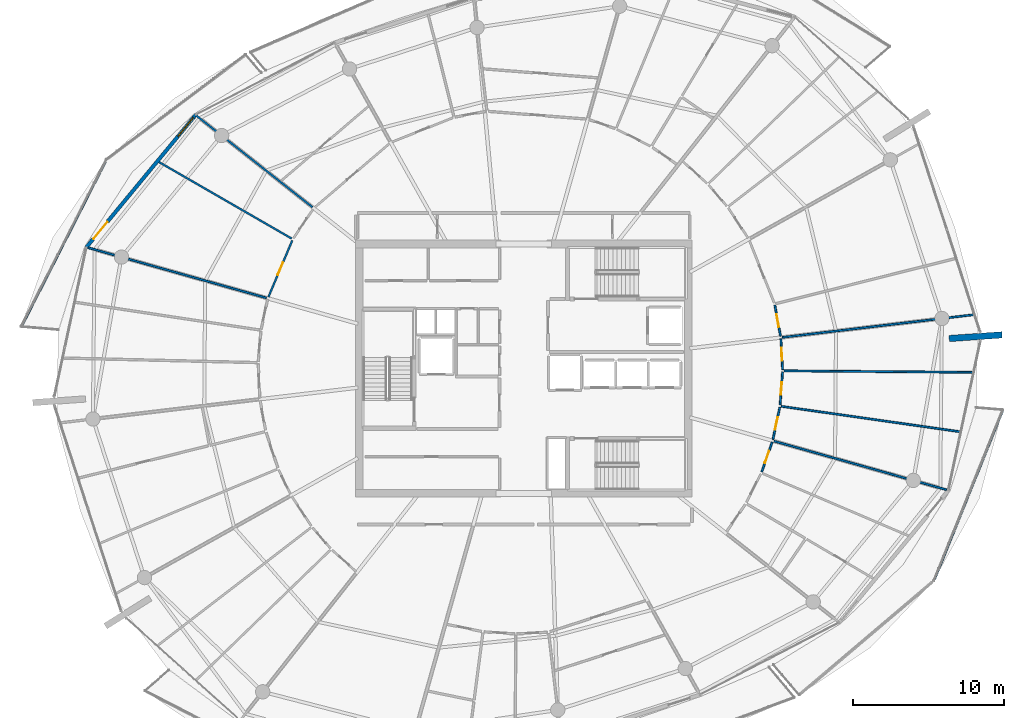
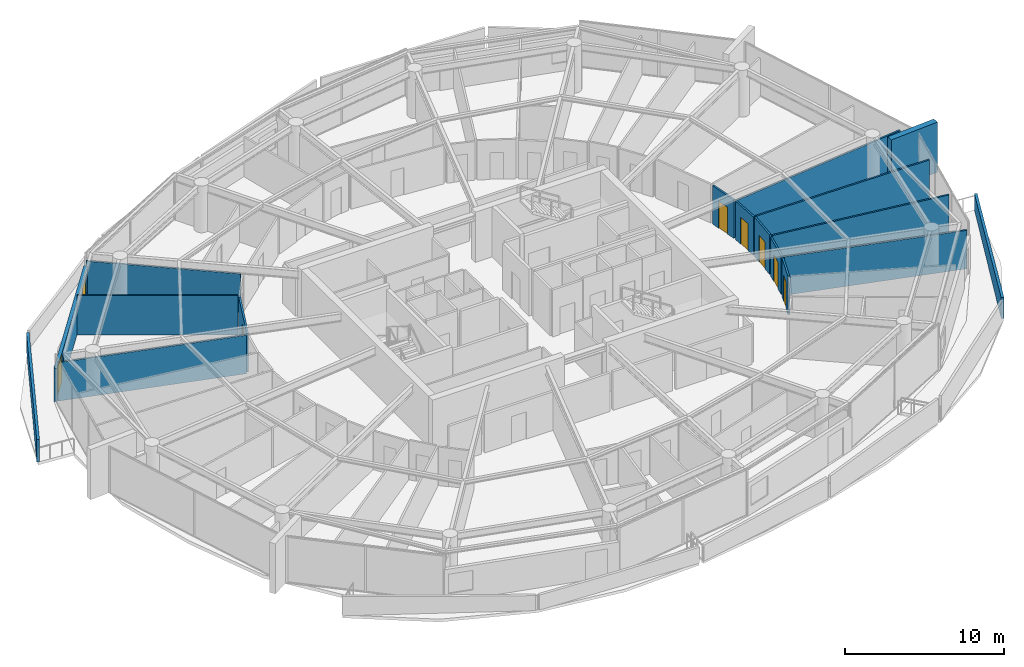
# One storey, part 20 of 29: 17 walls, 7 doors, 1 window, 8 openings.
"""IFC4 building model written with IfcOpenShell, lengths in metres."""

from ifc_helpers import new_model, si_unit, direction, frame, frame_2d, origin, place, context, subcontext, project, spatial, polyline, rectangle, outline, extrude, material, layer, layer_set, type_object, element, fill, save


model = new_model("IFC4")

# Units and contexts
model_context = context("Model", 3, precision=1e-05, world=origin(), true_north=direction((0.0, 1.0)))
body_context = subcontext(model_context, "Body", "Model", "MODEL_VIEW")
ifc_project = project(units=[si_unit("LENGTHUNIT", "METRE"), si_unit("AREAUNIT", "SQUARE_METRE"), si_unit("VOLUMEUNIT", "CUBIC_METRE"), si_unit("PLANEANGLEUNIT", "RADIAN"), si_unit("MASSUNIT", "GRAM", prefix="KILO")], contexts=[model_context])

# Site, building, storey
site_placement = place(None, origin())
site = spatial("IfcSite", under=ifc_project, at=site_placement, CompositionType="ELEMENT")
building_placement = place(site_placement, origin())
building = spatial("IfcBuilding", under=site, at=building_placement, Name="Kazma Halo Residences", CompositionType="ELEMENT")
storey_placement = place(building_placement, frame((0.0, 0.0, 286.75)))
storey = spatial("IfcBuildingStorey", under=building, at=storey_placement, Name="L72", CompositionType="ELEMENT", Elevation=286.75)

# Walls
ifc_material_1 = material(Name="White Concrete C50/60 Balustrade", Category="concrete")
ifc_layer_1 = layer(ifc_material_1, 0.179931640625)
ifc_layer_set_1 = layer_set([ifc_layer_1], Name="White Concrete C50/60 Balustrade")
wall_type_1 = type_object("IfcWallType", Name="WL-BAL-WAVE-180", PredefinedType="PARAPET", material=ifc_layer_set_1)
wall_1_placement = place(storey_placement, frame((20.758056640625, 55.745849609375, 0.0), z_axis=(0.0, 0.0, 1.0), x_axis=(-0.45375182612, -0.891128094211, 0.0)))
element("IfcWall", 1, at=wall_1_placement, inside=storey, type_object=wall_type_1, Name="L72 white wave balustrade wall NW.2", PredefinedType="PARAPET", context=body_context, shape_type="SweptSolid", body=[
    extrude(outline(polyline([(0.0, 0.0), (12.2998046875, 0.0), (12.2998046875, 1.7470703125), (6.14990234375, 1.56201171875), (0.0, 1.347900390625), (0.0, 0.0)])), frame((0.0, 0.08984375, 0.0), z_axis=(0.0, -1.0, 0.0), x_axis=(1.0, 0.0, 0.0)), (0.0, 0.0, 1.0), 0.179931640625),
])
wall_2_placement = place(storey_placement, frame((75.5869140625, 28.077880859375, 0.0), z_axis=(0.0, 0.0, 1.0), x_axis=(0.374094279698, 0.927390678138, 0.0)))
element("IfcWall", 2, at=wall_2_placement, inside=storey, type_object=wall_type_1, Name="L72 white wave balustrade wall SE.2", PredefinedType="PARAPET", context=body_context, shape_type="SweptSolid", body=[
    extrude(outline(polyline([(0.0, 0.0), (12.07470703125, 0.0), (12.07470703125, 1.23291015625), (6.037353515625, 1.41796875), (0.0, 1.632080078125), (0.0, 0.0)])), frame((0.0, 0.08984375, 0.0), z_axis=(0.0, -1.0, 0.0), x_axis=(1.0, 0.0, 0.0)), (0.0, 0.0, 1.0), 0.179931640625),
])
ifc_material_2 = material(Name="Pale Concrete C60/75", Category="concrete")
ifc_layer_2 = layer(ifc_material_2, 0.419921875)
ifc_layer_set_2 = layer_set([ifc_layer_2], Name="Pale Concrete C60/75")
wall_type_2 = type_object("IfcWallType", Name="WL-BLADE-420", PredefinedType="SOLIDWALL", material=ifc_layer_set_2)
wall_3_placement = place(storey_placement, frame((76.5625, 43.997314453125, 0.0), z_axis=(0.0, 0.0, 1.0), x_axis=(0.997563824095, 0.069759707979, 0.0)))
element("IfcWall", 3, at=wall_3_placement, inside=storey, type_object=wall_type_2, Name="L72 pale concrete structural blade fin wall BW-04", PredefinedType="SOLIDWALL", context=body_context, shape_type="SweptSolid", body=[
    extrude(rectangle(XDim=3.499755859375, YDim=0.419921875, at=frame_2d((1.75, 0.0))), origin(), (0.0, 0.0, 1.0), 3.85009765625),
])

# Wall, openings, door, window
ifc_material_3 = material(Name="Insulated Pale-Metal Composite Wall")
ifc_layer_3 = layer(ifc_material_3, 0.239990234375)
ifc_layer_set_3 = layer_set([ifc_layer_3], Name="Insulated Pale-Metal Composite Wall")
wall_type_3 = type_object("IfcWallType", Name="WL-EXT-HOST-240", PredefinedType="SOLIDWALL", material=ifc_layer_set_3)
wall_4_placement = place(storey_placement, frame((26.7421875, 58.822021484375, 0.0), z_axis=(0.0, 0.0, 1.0), x_axis=(-0.636680093065, -0.771128043255, 0.0)))
wall_4 = element("IfcWall", 4, at=wall_4_placement, inside=storey, type_object=wall_type_3, Name="L72 exterior terrace-access wall B06", PredefinedType="SOLIDWALL", context=body_context, shape_type="SweptSolid", body=[
    extrude(rectangle(XDim=11.438232421875, YDim=0.239990234375, at=frame_2d((5.71923828125, 0.0))), origin(), (0.0, 0.0, 1.0), 2.5400390625),
])
opening_1_placement = place(wall_4_placement, frame((9.21826171875, 0.0, 0.0)))
opening_1 = element("IfcOpeningElement", 5, at=opening_1_placement, cuts=wall_4, Name="Opening DTR-1600", PredefinedType="OPENING", context=body_context, shape_type="SweptSolid", body=[
    extrude(rectangle(XDim=1.449951171875, YDim=2.14990234375, at=frame_2d((0.72509765625, 1.074951171875))), frame((0.0, 0.1298828125, 0.0), z_axis=(0.0, -1.0, 0.0), x_axis=(1.0, 0.0, 0.0)), (0.0, 0.0, 1.0), 0.260009765625),
])
opening_2_placement = place(wall_4_placement, frame((0.280029296875, 0.0, 0.64990234375)))
opening_2 = element("IfcOpeningElement", 6, at=opening_2_placement, cuts=wall_4, Name="Opening W-1800", PredefinedType="OPENING", context=body_context, shape_type="SweptSolid", body=[
    extrude(rectangle(XDim=1.60009765625, YDim=1.5, at=frame_2d((0.800048828125, 0.75))), frame((0.0, 0.1298828125, 0.0), z_axis=(0.0, -1.0, 0.0), x_axis=(1.0, 0.0, 0.0)), (0.0, 0.0, 1.0), 0.260009765625),
])
ifc_material_4 = material(Name="Aluminium AW-6063 T6 Double-Glazed Terrace Door", Category="aluminium")
door_type_1 = type_object("IfcDoorType", Name="DR-EXT-TERR-1600", OperationType="NOTDEFINED", PredefinedType="DOOR", material=ifc_material_4)
door_1_placement = place(opening_1_placement, origin())
door_1 = element("IfcDoor", 7, at=door_1_placement, inside=storey, type_object=door_type_1, Name="L72 B06 balcony terrace door", OperationType="DOUBLE_DOOR_SLIDING", OverallHeight=2.14990234375, OverallWidth=1.449951171875, PredefinedType="DOOR", context=body_context, shape_type="SweptSolid", body=[
    extrude(rectangle(XDim=1.449951171875, YDim=2.14990234375, at=frame_2d((0.72509765625, 1.074951171875))), frame((0.0, 0.02490234375, 0.0), z_axis=(0.0, -1.0, 0.0), x_axis=(1.0, 0.0, 0.0)), (0.0, 0.0, 1.0), 0.050048828125),
])
fill(opening_1, door_1)
ifc_material_5 = material(Name="Clear Triple-Silver Low-E Glass in Aluminium AW-6063 T6 Frame", Category="aluminium")
window_type = type_object("IfcWindowType", Name="WIN-RES-1800", PartitioningType="DOUBLE_PANEL_VERTICAL", PredefinedType="WINDOW", material=ifc_material_5)
window_placement = place(opening_2_placement, origin())
window = element("IfcWindow", 8, at=window_placement, inside=storey, type_object=window_type, Name="L72 B06 apartment window", OverallHeight=1.5, OverallWidth=1.60009765625, PartitioningType="SINGLE_PANEL", PredefinedType="WINDOW", context=body_context, shape_type="SweptSolid", body=[
    extrude(rectangle(XDim=1.60009765625, YDim=1.5, at=frame_2d((0.800048828125, 0.75))), frame((0.0, 0.030029296875, 0.0), z_axis=(0.0, -1.0, 0.0), x_axis=(1.0, 0.0, 0.0)), (0.0, 0.0, 1.0), 0.06005859375),
])
fill(opening_2, window)

# Walls
ifc_material_6 = material(Name="Gypsum Plasterboard Partition")
ifc_layer_4 = layer(ifc_material_6, 0.125)
ifc_layer_set_4 = layer_set([ifc_layer_4], Name="Gypsum Plasterboard Partition")
wall_type_4 = type_object("IfcWallType", Name="WL-PART-125", PredefinedType="PARTITIONING", material=ifc_layer_set_4)
wall_5_placement = place(storey_placement, frame((34.45166015625, 52.6806640625, 0.0), z_axis=(0.0, 0.0, 1.0), x_axis=(-0.785323024206, 0.619086219885, 0.0)))
element("IfcWall", 9, at=wall_5_placement, inside=storey, type_object=wall_type_4, Name="L72 Apartment 1 radial partition 5", PredefinedType="PARTITIONING", context=body_context, shape_type="SweptSolid", body=[
    extrude(rectangle(XDim=9.83251953125, YDim=0.125, at=frame_2d((4.916259765625, 0.0))), origin(), (0.0, 0.0, 1.0), 2.95703125),
])
wall_6_placement = place(storey_placement, frame((33.0634765625, 50.61328125, 0.0), z_axis=(0.0, 0.0, 1.0), x_axis=(-0.866292819656, 0.499536535814, 0.0)))
element("IfcWall", 10, at=wall_6_placement, inside=storey, type_object=wall_type_4, Name="L72 Apartment 1 mid-bay wall 5", PredefinedType="PARTITIONING", context=body_context, shape_type="SweptSolid", body=[
    extrude(rectangle(XDim=10.1181640625, YDim=0.125, at=frame_2d((5.05908203125, 0.0))), origin(), (0.0, 0.0, 1.0), 3.030029296875),
])

# Wall, opening, door
wall_7_placement = place(storey_placement, frame((33.1103515625, 50.494384765625, 0.0), z_axis=(0.0, 0.0, 1.0), x_axis=(-0.388491824698, -0.921452170296, 0.0)))
wall_7 = element("IfcWall", 11, at=wall_7_placement, inside=storey, type_object=wall_type_4, Name="L72 Apartment 1 Outer Formal Dining Room hall wall", PredefinedType="PARTITIONING", context=body_context, shape_type="SweptSolid", body=[
    extrude(rectangle(XDim=4.06591796875, YDim=0.125, at=frame_2d((2.032958984375, 0.0))), origin(), (0.0, 0.0, 1.0), 2.95703125),
])
opening_3_placement = place(wall_7_placement, frame((1.5830078125, 0.0, 0.0)))
opening_3 = element("IfcOpeningElement", 12, at=opening_3_placement, cuts=wall_7, Name="Opening DI-950", PredefinedType="OPENING", context=body_context, shape_type="SweptSolid", body=[
    extrude(rectangle(XDim=0.89990234375, YDim=2.080078125, at=frame_2d((0.449951171875, 1.0400390625))), frame((0.0, 0.072509765625, 0.0), z_axis=(0.0, -1.0, 0.0), x_axis=(1.0, 0.0, 0.0)), (0.0, 0.0, 1.0), 0.14501953125),
])
ifc_material_7 = material(Name="Timber Veneer Flush Leaf", Category="wood")
door_type_2 = type_object("IfcDoorType", Name="DR-INT-950", OperationType="NOTDEFINED", PredefinedType="DOOR", material=ifc_material_7)
door_2_placement = place(opening_3_placement, origin())
door_2 = element("IfcDoor", 13, at=door_2_placement, inside=storey, type_object=door_type_2, Name="L72 Apartment 1 Outer Formal Dining Room door", OperationType="SINGLE_SWING_LEFT", OverallHeight=2.080078125, OverallWidth=0.89990234375, PredefinedType="DOOR", context=body_context, shape_type="SweptSolid", body=[
    extrude(rectangle(XDim=0.89990234375, YDim=2.080078125, at=frame_2d((0.449951171875, 1.0400390625))), frame((0.0, 0.02490234375, 0.0), z_axis=(0.0, -1.0, 0.0), x_axis=(1.0, 0.0, 0.0)), (0.0, 0.0, 1.0), 0.050048828125),
])
fill(opening_3, door_2)

# Wall
wall_8_placement = place(storey_placement, frame((31.395751953125, 46.682861328125, 0.0), z_axis=(0.0, 0.0, 1.0), x_axis=(-0.962453683352, 0.271445956688, 0.0)))
element("IfcWall", 14, at=wall_8_placement, inside=storey, type_object=wall_type_4, Name="L72 Apartment 1 radial partition 6", PredefinedType="PARTITIONING", context=body_context, shape_type="SweptSolid", body=[
    extrude(rectangle(XDim=12.24365234375, YDim=0.125, at=frame_2d((6.121826171875, 0.0))), origin(), (0.0, 0.0, 1.0), 2.95703125),
])

# Wall, opening, door
wall_9_placement = place(storey_placement, frame((64.162109375, 35.18310546875, 0.0), z_axis=(0.0, 0.0, 1.0), x_axis=(0.332881557629, 0.942968646664, 0.0)))
wall_9 = element("IfcWall", 15, at=wall_9_placement, inside=storey, type_object=wall_type_4, Name="L72 Apartment 2 Outer Master Bedroom hall wall", PredefinedType="PARTITIONING", context=body_context, shape_type="SweptSolid", body=[
    extrude(rectangle(XDim=2.07861328125, YDim=0.125, at=frame_2d((1.039306640625, 0.0))), origin(), (0.0, 0.0, 1.0), 2.95703125),
])
opening_4_placement = place(wall_9_placement, frame((0.6142578125, 0.0, 0.0)))
opening_4 = element("IfcOpeningElement", 16, at=opening_4_placement, cuts=wall_9, Name="Opening DB-900", PredefinedType="OPENING", context=body_context, shape_type="SweptSolid", body=[
    extrude(rectangle(XDim=0.85009765625, YDim=2.06005859375, at=frame_2d((0.425048828125, 1.030029296875))), frame((0.0, 0.072509765625, 0.0), z_axis=(0.0, -1.0, 0.0), x_axis=(1.0, 0.0, 0.0)), (0.0, 0.0, 1.0), 0.14501953125),
])
ifc_material_8 = material(Name="Moisture-Sealed Timber Leaf", Category="wood")
door_type_3 = type_object("IfcDoorType", Name="DR-BTH-900", OperationType="NOTDEFINED", PredefinedType="DOOR", material=ifc_material_8)
door_3_placement = place(opening_4_placement, origin())
door_3 = element("IfcDoor", 17, at=door_3_placement, inside=storey, type_object=door_type_3, Name="L72 Apartment 2 Outer Master Bedroom door", OperationType="SINGLE_SWING_LEFT", OverallHeight=2.06005859375, OverallWidth=0.85009765625, PredefinedType="DOOR", context=body_context, shape_type="SweptSolid", body=[
    extrude(rectangle(XDim=0.85009765625, YDim=2.06005859375, at=frame_2d((0.425048828125, 1.030029296875))), frame((0.0, 0.02490234375, 0.0), z_axis=(0.0, -1.0, 0.0), x_axis=(1.0, 0.0, 0.0)), (0.0, 0.0, 1.0), 0.050048828125),
])
fill(opening_4, door_3)

# Walls
wall_10_placement = place(storey_placement, frame((64.9833984375, 37.210205078125, 0.0), z_axis=(0.0, 0.0, 1.0), x_axis=(0.962453678557, -0.271445973691, 0.0)))
element("IfcWall", 18, at=wall_10_placement, inside=storey, type_object=wall_type_4, Name="L72 Apartment 2 radial partition 14", PredefinedType="PARTITIONING", context=body_context, shape_type="SweptSolid", body=[
    extrude(rectangle(XDim=11.849609375, YDim=0.125, at=frame_2d((5.9248046875, 0.0))), origin(), (0.0, 0.0, 1.0), 2.95703125),
])
wall_11_placement = place(storey_placement, frame((65.460205078125, 39.514892578125, 0.0), z_axis=(0.0, 0.0, 1.0), x_axis=(0.990024400928, -0.140896009764, 0.0)))
element("IfcWall", 19, at=wall_11_placement, inside=storey, type_object=wall_type_4, Name="L72 Apartment 2 bay wall 1 14", PredefinedType="PARTITIONING", context=body_context, shape_type="SweptSolid", body=[
    extrude(rectangle(XDim=11.9716796875, YDim=0.125, at=frame_2d((5.98583984375, 0.0))), origin(), (0.0, 0.0, 1.0), 3.030029296875),
])
wall_12_placement = place(storey_placement, frame((65.635498046875, 41.861572265625, 0.0), z_axis=(0.0, 0.0, 1.0), x_axis=(0.999969129377, -0.007857499155, 0.0)))
element("IfcWall", 20, at=wall_12_placement, inside=storey, type_object=wall_type_4, Name="L72 Apartment 2 bay wall 2 14", PredefinedType="PARTITIONING", context=body_context, shape_type="SweptSolid", body=[
    extrude(rectangle(XDim=12.521728515625, YDim=0.125, at=frame_2d((6.2607421875, 0.0))), origin(), (0.0, 0.0, 1.0), 3.030029296875),
])

# Wall, opening, door
wall_13_placement = place(storey_placement, frame((64.90380859375, 37.315673828125, 0.0), z_axis=(0.0, 0.0, 1.0), x_axis=(0.206653610436, 0.978414168588, 0.0)))
wall_13 = element("IfcWall", 21, at=wall_13_placement, inside=storey, type_object=wall_type_4, Name="L72 Apartment 2 Sky Master Bedroom hall wall", PredefinedType="PARTITIONING", context=body_context, shape_type="SweptSolid", body=[
    extrude(rectangle(XDim=2.180908203125, YDim=0.125, at=frame_2d((1.09033203125, 0.0))), origin(), (0.0, 0.0, 1.0), 2.95703125),
])
opening_5_placement = place(wall_13_placement, frame((0.665283203125, 0.0, 0.0)))
opening_5 = element("IfcOpeningElement", 22, at=opening_5_placement, cuts=wall_13, Name="Opening DB-900", PredefinedType="OPENING", context=body_context, shape_type="SweptSolid", body=[
    extrude(rectangle(XDim=0.85009765625, YDim=2.06005859375, at=frame_2d((0.425048828125, 1.030029296875))), frame((0.0, 0.072509765625, 0.0), z_axis=(0.0, -1.0, 0.0), x_axis=(1.0, 0.0, 0.0)), (0.0, 0.0, 1.0), 0.14501953125),
])
door_4_placement = place(opening_5_placement, origin())
door_4 = element("IfcDoor", 23, at=door_4_placement, inside=storey, type_object=door_type_3, Name="L72 Apartment 2 Sky Master Bedroom door", OperationType="SINGLE_SWING_RIGHT", OverallHeight=2.06005859375, OverallWidth=0.85009765625, PredefinedType="DOOR", context=body_context, shape_type="SweptSolid", body=[
    extrude(rectangle(XDim=0.85009765625, YDim=2.06005859375, at=frame_2d((0.425048828125, 1.030029296875))), frame((0.0, 0.02490234375, 0.0), z_axis=(0.0, -1.0, 0.0), x_axis=(1.0, 0.0, 0.0)), (0.0, 0.0, 1.0), 0.050048828125),
])
fill(opening_5, door_4)

wall_14_placement = place(storey_placement, frame((65.376953125, 39.607421875, 0.0), z_axis=(0.0, 0.0, 1.0), x_axis=(0.074547851994, 0.997217437555, 0.0)))
wall_14 = element("IfcWall", 24, at=wall_14_placement, inside=storey, type_object=wall_type_4, Name="L72 Apartment 2 Gulf Dressing Wardrobe hall wall", PredefinedType="PARTITIONING", context=body_context, shape_type="SweptSolid", body=[
    extrude(rectangle(XDim=2.18115234375, YDim=0.125, at=frame_2d((1.090576171875, 0.0))), origin(), (0.0, 0.0, 1.0), 3.030029296875),
])
opening_6_placement = place(wall_14_placement, frame((0.66552734375, 0.0, 0.0)))
opening_6 = element("IfcOpeningElement", 25, at=opening_6_placement, cuts=wall_14, Name="Opening DB-900", PredefinedType="OPENING", context=body_context, shape_type="SweptSolid", body=[
    extrude(rectangle(XDim=0.85009765625, YDim=2.06005859375, at=frame_2d((0.425048828125, 1.030029296875))), frame((0.0, 0.072509765625, 0.0), z_axis=(0.0, -1.0, 0.0), x_axis=(1.0, 0.0, 0.0)), (0.0, 0.0, 1.0), 0.14501953125),
])
door_5_placement = place(opening_6_placement, origin())
door_5 = element("IfcDoor", 26, at=door_5_placement, inside=storey, type_object=door_type_3, Name="L72 Apartment 2 Gulf Dressing Wardrobe door", OperationType="SINGLE_SWING_LEFT", OverallHeight=2.06005859375, OverallWidth=0.85009765625, PredefinedType="DOOR", context=body_context, shape_type="SweptSolid", body=[
    extrude(rectangle(XDim=0.85009765625, YDim=2.06005859375, at=frame_2d((0.425048828125, 1.030029296875))), frame((0.0, 0.02490234375, 0.0), z_axis=(0.0, -1.0, 0.0), x_axis=(1.0, 0.0, 0.0)), (0.0, 0.0, 1.0), 0.050048828125),
])
fill(opening_6, door_5)

wall_15_placement = place(storey_placement, frame((65.541015625, 41.942138671875, 0.0), z_axis=(0.0, 0.0, 1.0), x_axis=(-0.054960479128, 0.998488530597, 0.0)))
wall_15 = element("IfcWall", 27, at=wall_15_placement, inside=storey, type_object=wall_type_4, Name="L72 Apartment 2 Primary Master Bedroom hall wall", PredefinedType="PARTITIONING", context=body_context, shape_type="SweptSolid", body=[
    extrude(rectangle(XDim=2.04345703125, YDim=0.125, at=frame_2d((1.021728515625, 0.0))), origin(), (0.0, 0.0, 1.0), 2.95703125),
])
opening_7_placement = place(wall_15_placement, frame((0.5966796875, 0.0, 0.0)))
opening_7 = element("IfcOpeningElement", 28, at=opening_7_placement, cuts=wall_15, Name="Opening DB-900", PredefinedType="OPENING", context=body_context, shape_type="SweptSolid", body=[
    extrude(rectangle(XDim=0.85009765625, YDim=2.06005859375, at=frame_2d((0.425048828125, 1.030029296875))), frame((0.0, 0.072509765625, 0.0), z_axis=(0.0, -1.0, 0.0), x_axis=(1.0, 0.0, 0.0)), (0.0, 0.0, 1.0), 0.14501953125),
])
door_6_placement = place(opening_7_placement, origin())
door_6 = element("IfcDoor", 29, at=door_6_placement, inside=storey, type_object=door_type_3, Name="L72 Apartment 2 Primary Master Bedroom door", OperationType="SINGLE_SWING_RIGHT", OverallHeight=2.06005859375, OverallWidth=0.85009765625, PredefinedType="DOOR", context=body_context, shape_type="SweptSolid", body=[
    extrude(rectangle(XDim=0.85009765625, YDim=2.06005859375, at=frame_2d((0.425048828125, 1.030029296875))), frame((0.0, 0.02490234375, 0.0), z_axis=(0.0, -1.0, 0.0), x_axis=(1.0, 0.0, 0.0)), (0.0, 0.0, 1.0), 0.050048828125),
])
fill(opening_7, door_6)

# Wall
wall_16_placement = place(storey_placement, frame((65.523681640625, 44.07421875, 0.0), z_axis=(0.0, 0.0, 1.0), x_axis=(0.993069543008, 0.117528221075, 0.0)))
element("IfcWall", 30, at=wall_16_placement, inside=storey, type_object=wall_type_4, Name="L72 Apartment 2 radial partition 15", PredefinedType="PARTITIONING", context=body_context, shape_type="SweptSolid", body=[
    extrude(rectangle(XDim=12.78369140625, YDim=0.125, at=frame_2d((6.391845703125, 0.0))), origin(), (0.0, 0.0, 1.0), 2.95703125),
])

# Wall, opening, door
wall_17_placement = place(storey_placement, frame((65.40625, 44.16064453125, 0.0), z_axis=(0.0, 0.0, 1.0), x_axis=(-0.181252122481, 0.983436661965, 0.0)))
wall_17 = element("IfcWall", 31, at=wall_17_placement, inside=storey, type_object=wall_type_4, Name="L72 Apartment 2 Secondary Wine Pantry Store hall wall", PredefinedType="PARTITIONING", context=body_context, shape_type="SweptSolid", body=[
    extrude(rectangle(XDim=2.078369140625, YDim=0.125, at=frame_2d((1.0390625, 0.0))), origin(), (0.0, 0.0, 1.0), 2.95703125),
])
opening_8_placement = place(wall_17_placement, frame((0.6142578125, 0.0, 0.0)))
opening_8 = element("IfcOpeningElement", 32, at=opening_8_placement, cuts=wall_17, Name="Opening DB-900", PredefinedType="OPENING", context=body_context, shape_type="SweptSolid", body=[
    extrude(rectangle(XDim=0.85009765625, YDim=2.06005859375, at=frame_2d((0.425048828125, 1.030029296875))), frame((0.0, 0.072509765625, 0.0), z_axis=(0.0, -1.0, 0.0), x_axis=(1.0, 0.0, 0.0)), (0.0, 0.0, 1.0), 0.14501953125),
])
door_7_placement = place(opening_8_placement, origin())
door_7 = element("IfcDoor", 33, at=door_7_placement, inside=storey, type_object=door_type_3, Name="L72 Apartment 2 Secondary Wine Pantry Store door", OperationType="SINGLE_SWING_RIGHT", OverallHeight=2.06005859375, OverallWidth=0.85009765625, PredefinedType="DOOR", context=body_context, shape_type="SweptSolid", body=[
    extrude(rectangle(XDim=0.85009765625, YDim=2.06005859375, at=frame_2d((0.425048828125, 1.030029296875))), frame((0.0, 0.02490234375, 0.0), z_axis=(0.0, -1.0, 0.0), x_axis=(1.0, 0.0, 0.0)), (0.0, 0.0, 1.0), 0.050048828125),
])
fill(opening_8, door_7)

save(model, "model.ifc")
